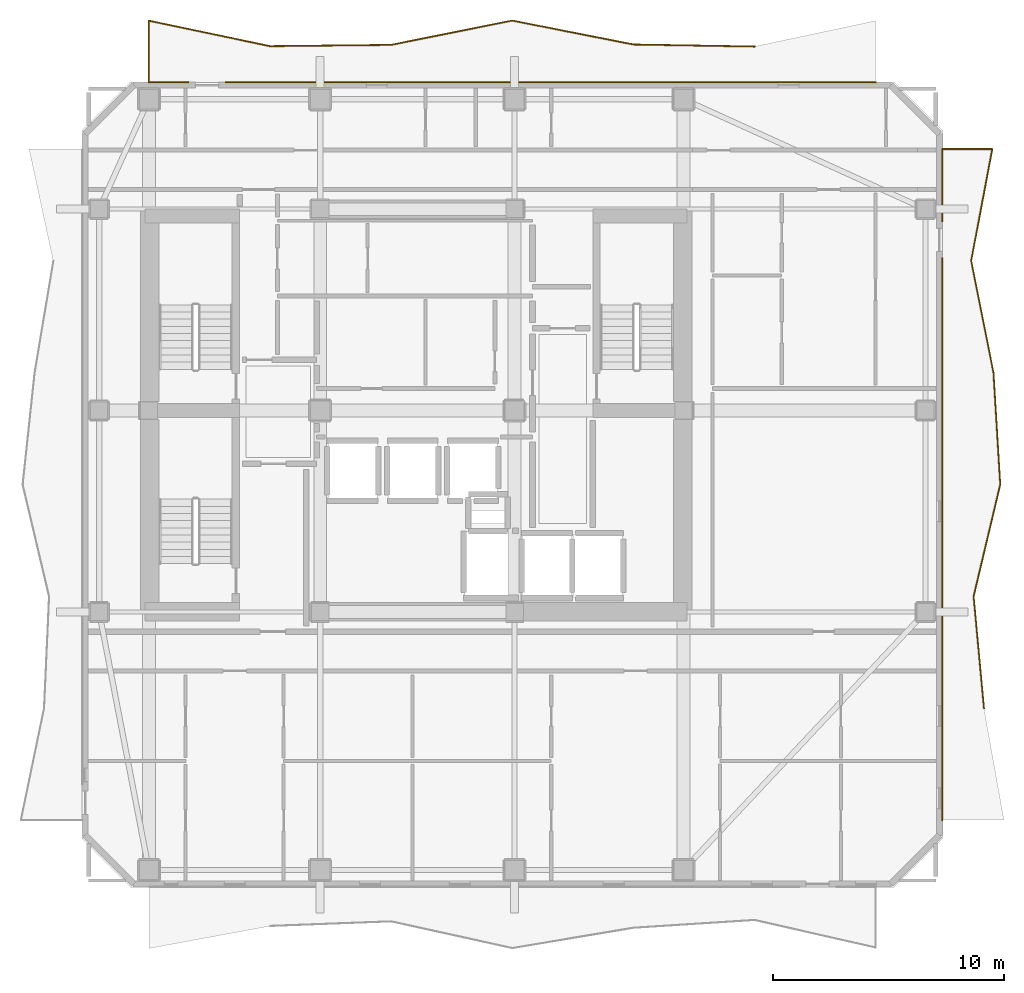
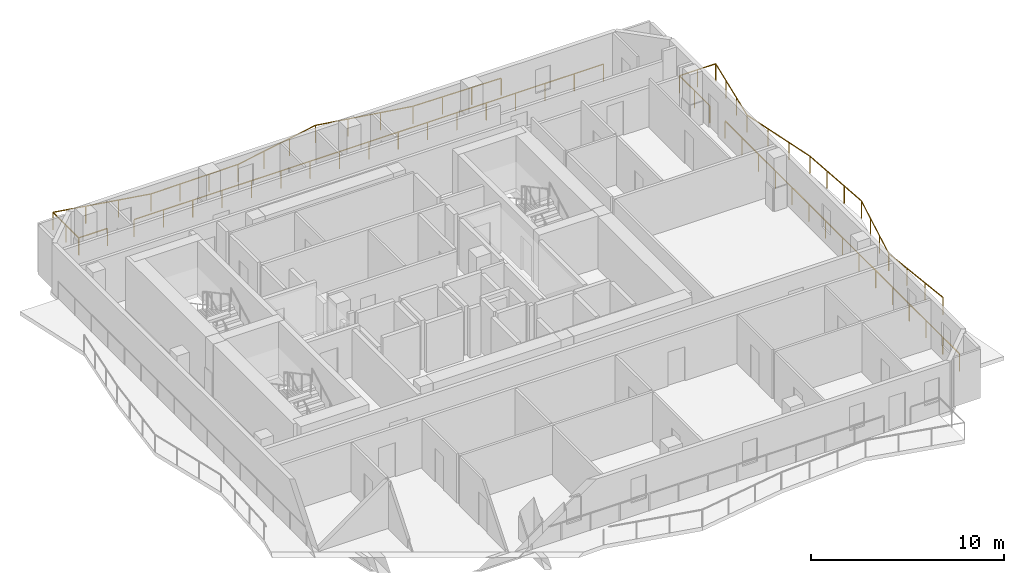
# One storey, part 9 of 9: 4 railings.
"""IFC4 building model written with IfcOpenShell, lengths in metres."""

from ifc_helpers import new_model, si_unit, direction, frame, origin, origin_2d, place, context, subcontext, project, spatial, rectangle, extrude, material, type_object, element, save


model = new_model("IFC4")

# Units and contexts
model_context = context("Model", 3, precision=1e-05, world=origin(), true_north=direction((0.0, 1.0)))
body_context = subcontext(model_context, "Body", "Model", "MODEL_VIEW")
ifc_project = project(units=[si_unit("LENGTHUNIT", "METRE"), si_unit("AREAUNIT", "SQUARE_METRE"), si_unit("VOLUMEUNIT", "CUBIC_METRE"), si_unit("PLANEANGLEUNIT", "RADIAN"), si_unit("MASSUNIT", "GRAM", prefix="KILO")], contexts=[model_context])

# Site, building, storey
site_placement = place(None, origin())
site = spatial("IfcSite", under=ifc_project, at=site_placement, CompositionType="ELEMENT")
building_placement = place(site_placement, origin())
building = spatial("IfcBuilding", under=site, at=building_placement, Name="Solanera Arch Residences", CompositionType="ELEMENT")
storey_placement = place(building_placement, frame((0.0, 0.0, 220.0400390625)))
storey = spatial("IfcBuildingStorey", under=building, at=storey_placement, Name="L64", CompositionType="ELEMENT", Elevation=220.0400390625)

# Railings
ifc_material = material(Name="Steel S355 (ASTM A992 / A572 Grade 50)", Category="steel")
railing_type = type_object("IfcRailingType", Name="Balustrade Railing BL-1100", PredefinedType="BALUSTRADE", material=ifc_material)
railing_1_placement = place(storey_placement, frame((39.56689453125, 46.429931640625, 0.0)))
element("IfcRailing", 1, at=railing_1_placement, inside=storey, type_object=railing_type, Name="L64 N Balcony Balustrade 1", PredefinedType="BALUSTRADE", context=body_context, shape_type="SweptSolid", body=[
    extrude(rectangle(XDim=0.048095703125, YDim=0.048095703125, at=origin_2d()), frame((0.0, 0.0, 1.09619140625), z_axis=(-0.999858249851, 0.016836870426, 0.0), x_axis=(-0.016836870426, -0.999858249851, 0.0)), (0.0, 0.0, 1.0), 5.234619140625),
    extrude(rectangle(XDim=0.048095703125, YDim=0.048095703125, at=origin_2d()), frame((-5.23388671875, 0.088134765625, 1.09619140625), z_axis=(-0.981103535694, 0.193483467639, 0.0), x_axis=(-0.193483467639, -0.981103535694, 0.0)), (0.0, 0.0, 1.0), 5.333740234375),
    extrude(rectangle(XDim=0.048095703125, YDim=0.048095703125, at=origin_2d()), frame((-10.466796875, 1.1201171875, 1.09619140625), z_axis=(-0.980492610512, -0.196555948093, 0.0), x_axis=(0.196555948093, -0.980492610512, 0.0)), (0.0, 0.0, 1.0), 5.337158203125),
    extrude(rectangle(XDim=0.048095703125, YDim=0.048095703125, at=origin_2d()), frame((-15.699951171875, 0.071044921875, 1.09619140625), z_axis=(-0.999944928028, -0.010494804031, 0.0), x_axis=(0.010494804031, -0.999944928028, 0.0)), (0.0, 0.0, 1.0), 5.234130859375),
    extrude(rectangle(XDim=0.048095703125, YDim=0.048095703125, at=origin_2d()), frame((-20.933837890625, 0.01611328125, 1.09619140625), z_axis=(-0.978619966934, 0.205676834665, 0.0), x_axis=(-0.205676834665, -0.978619966934, 0.0)), (0.0, 0.0, 1.0), 5.347412109375),
    extrude(rectangle(XDim=0.048095703125, YDim=0.048095703125, at=origin_2d()), frame((-26.1669921875, 1.115966796875, 1.09619140625), z_axis=(0.0, -1.0, 0.0), x_axis=(1.0, 0.0, 0.0)), (0.0, 0.0, 1.0), 2.666015625),
    extrude(rectangle(XDim=0.048095703125, YDim=0.048095703125, at=origin_2d()), frame((-26.1669921875, -1.550048828125, 1.09619140625), z_axis=(1.0, 0.0, 0.0), x_axis=(0.0, 1.0, 0.0)), (0.0, 0.0, 1.0), 1.710205078125),
    extrude(rectangle(XDim=0.0419921875, YDim=0.0419921875, at=origin_2d()), origin(), (0.0, 0.0, 1.0), 1.072021484375),
    extrude(rectangle(XDim=0.0419921875, YDim=0.0419921875, at=origin_2d()), frame((-1.74462890625, 0.029296875, 0.0)), (0.0, 0.0, 1.0), 1.072021484375),
    extrude(rectangle(XDim=0.0419921875, YDim=0.0419921875, at=origin_2d()), frame((-3.4892578125, 0.058837890625, 0.0)), (0.0, 0.0, 1.0), 1.072021484375),
    extrude(rectangle(XDim=0.0419921875, YDim=0.0419921875, at=origin_2d()), frame((-5.23388671875, 0.088134765625, 0.0)), (0.0, 0.0, 1.0), 1.072021484375),
    extrude(rectangle(XDim=0.0419921875, YDim=0.0419921875, at=origin_2d()), frame((-6.978271484375, 0.43212890625, 0.0)), (0.0, 0.0, 1.0), 1.072021484375),
    extrude(rectangle(XDim=0.0419921875, YDim=0.0419921875, at=origin_2d()), frame((-8.722412109375, 0.776123046875, 0.0)), (0.0, 0.0, 1.0), 1.072021484375),
    extrude(rectangle(XDim=0.0419921875, YDim=0.0419921875, at=origin_2d()), frame((-10.466796875, 1.1201171875, 0.0)), (0.0, 0.0, 1.0), 1.072021484375),
    extrude(rectangle(XDim=0.0419921875, YDim=0.0419921875, at=origin_2d()), frame((-12.211181640625, 0.7705078125, 0.0)), (0.0, 0.0, 1.0), 1.072021484375),
    extrude(rectangle(XDim=0.0419921875, YDim=0.0419921875, at=origin_2d()), frame((-13.95556640625, 0.420654296875, 0.0)), (0.0, 0.0, 1.0), 1.072021484375),
    extrude(rectangle(XDim=0.0419921875, YDim=0.0419921875, at=origin_2d()), frame((-15.699951171875, 0.071044921875, 0.0)), (0.0, 0.0, 1.0), 1.072021484375),
    extrude(rectangle(XDim=0.0419921875, YDim=0.0419921875, at=origin_2d()), frame((-17.444580078125, 0.052734375, 0.0)), (0.0, 0.0, 1.0), 1.072021484375),
    extrude(rectangle(XDim=0.0419921875, YDim=0.0419921875, at=origin_2d()), frame((-19.189208984375, 0.034423828125, 0.0)), (0.0, 0.0, 1.0), 1.072021484375),
    extrude(rectangle(XDim=0.0419921875, YDim=0.0419921875, at=origin_2d()), frame((-20.933837890625, 0.01611328125, 0.0)), (0.0, 0.0, 1.0), 1.072021484375),
    extrude(rectangle(XDim=0.0419921875, YDim=0.0419921875, at=origin_2d()), frame((-22.67822265625, 0.3828125, 0.0)), (0.0, 0.0, 1.0), 1.072021484375),
    extrude(rectangle(XDim=0.0419921875, YDim=0.0419921875, at=origin_2d()), frame((-24.422607421875, 0.749267578125, 0.0)), (0.0, 0.0, 1.0), 1.072021484375),
    extrude(rectangle(XDim=0.0419921875, YDim=0.0419921875, at=origin_2d()), frame((-26.1669921875, 1.115966796875, 0.0)), (0.0, 0.0, 1.0), 1.072021484375),
    extrude(rectangle(XDim=0.0419921875, YDim=0.0419921875, at=origin_2d()), frame((-26.1669921875, -0.217041015625, 0.0)), (0.0, 0.0, 1.0), 1.072021484375),
    extrude(rectangle(XDim=0.0419921875, YDim=0.0419921875, at=origin_2d()), frame((-26.1669921875, -1.550048828125, 0.0)), (0.0, 0.0, 1.0), 1.072021484375),
    extrude(rectangle(XDim=0.0419921875, YDim=0.0419921875, at=origin_2d()), frame((-24.456787109375, -1.550048828125, 0.0)), (0.0, 0.0, 1.0), 1.072021484375),
])
railing_2_placement = place(storey_placement, frame((16.7099609375, 44.8798828125, 0.0)))
element("IfcRailing", 2, at=railing_2_placement, inside=storey, type_object=railing_type, Name="L64 N Balcony Balustrade 2", PredefinedType="BALUSTRADE", context=body_context, shape_type="SweptSolid", body=[
    extrude(rectangle(XDim=0.048095703125, YDim=0.048095703125, at=origin_2d()), frame((0.0, 0.0, 1.09619140625), z_axis=(1.0, 0.0, 0.0), x_axis=(0.0, 1.0, 0.0)), (0.0, 0.0, 1.0), 28.090087890625),
    extrude(rectangle(XDim=0.0419921875, YDim=0.0419921875, at=origin_2d()), origin(), (0.0, 0.0, 1.0), 1.072021484375),
    extrude(rectangle(XDim=0.0419921875, YDim=0.0419921875, at=origin_2d()), frame((1.755615234375, 0.0, 0.0)), (0.0, 0.0, 1.0), 1.072021484375),
    extrude(rectangle(XDim=0.0419921875, YDim=0.0419921875, at=origin_2d()), frame((3.51123046875, 0.0, 0.0)), (0.0, 0.0, 1.0), 1.072021484375),
    extrude(rectangle(XDim=0.0419921875, YDim=0.0419921875, at=origin_2d()), frame((5.266845703125, 0.0, 0.0)), (0.0, 0.0, 1.0), 1.072021484375),
    extrude(rectangle(XDim=0.0419921875, YDim=0.0419921875, at=origin_2d()), frame((7.0224609375, 0.0, 0.0)), (0.0, 0.0, 1.0), 1.072021484375),
    extrude(rectangle(XDim=0.0419921875, YDim=0.0419921875, at=origin_2d()), frame((8.778076171875, 0.0, 0.0)), (0.0, 0.0, 1.0), 1.072021484375),
    extrude(rectangle(XDim=0.0419921875, YDim=0.0419921875, at=origin_2d()), frame((10.53369140625, 0.0, 0.0)), (0.0, 0.0, 1.0), 1.072021484375),
    extrude(rectangle(XDim=0.0419921875, YDim=0.0419921875, at=origin_2d()), frame((12.289306640625, 0.0, 0.0)), (0.0, 0.0, 1.0), 1.072021484375),
    extrude(rectangle(XDim=0.0419921875, YDim=0.0419921875, at=origin_2d()), frame((14.044921875, 0.0, 0.0)), (0.0, 0.0, 1.0), 1.072021484375),
    extrude(rectangle(XDim=0.0419921875, YDim=0.0419921875, at=origin_2d()), frame((15.80078125, 0.0, 0.0)), (0.0, 0.0, 1.0), 1.072021484375),
    extrude(rectangle(XDim=0.0419921875, YDim=0.0419921875, at=origin_2d()), frame((17.556396484375, 0.0, 0.0)), (0.0, 0.0, 1.0), 1.072021484375),
    extrude(rectangle(XDim=0.0419921875, YDim=0.0419921875, at=origin_2d()), frame((19.31201171875, 0.0, 0.0)), (0.0, 0.0, 1.0), 1.072021484375),
    extrude(rectangle(XDim=0.0419921875, YDim=0.0419921875, at=origin_2d()), frame((21.067626953125, 0.0, 0.0)), (0.0, 0.0, 1.0), 1.072021484375),
    extrude(rectangle(XDim=0.0419921875, YDim=0.0419921875, at=origin_2d()), frame((22.8232421875, 0.0, 0.0)), (0.0, 0.0, 1.0), 1.072021484375),
    extrude(rectangle(XDim=0.0419921875, YDim=0.0419921875, at=origin_2d()), frame((24.578857421875, 0.0, 0.0)), (0.0, 0.0, 1.0), 1.072021484375),
    extrude(rectangle(XDim=0.0419921875, YDim=0.0419921875, at=origin_2d()), frame((26.33447265625, 0.0, 0.0)), (0.0, 0.0, 1.0), 1.072021484375),
    extrude(rectangle(XDim=0.0419921875, YDim=0.0419921875, at=origin_2d()), frame((28.090087890625, 0.0, 0.0)), (0.0, 0.0, 1.0), 1.072021484375),
])
railing_3_placement = place(storey_placement, frame((49.48291015625, 17.8330078125, 0.0)))
element("IfcRailing", 3, at=railing_3_placement, inside=storey, type_object=railing_type, Name="L64 E Balcony Balustrade 1", PredefinedType="BALUSTRADE", context=body_context, shape_type="SweptSolid", body=[
    extrude(rectangle(XDim=0.048095703125, YDim=0.048095703125, at=origin_2d()), frame((0.0, 0.0, 1.09619140625), z_axis=(-0.092281313669, 0.995732975826, 0.0), x_axis=(-0.995732975826, -0.092281313669, 0.0)), (0.0, 0.0, 1.0), 4.854736328125),
    extrude(rectangle(XDim=0.048095703125, YDim=0.048095703125, at=origin_2d()), frame((-0.447998046875, 4.833984375, 1.09619140625), z_axis=(0.231698033775, 0.972787757501, 0.0), x_axis=(-0.972787757501, 0.231698033775, 0.0)), (0.0, 0.0, 1.0), 4.96826171875),
    extrude(rectangle(XDim=0.048095703125, YDim=0.048095703125, at=origin_2d()), frame((0.703125, 9.6669921875, 1.09619140625), z_axis=(-0.060306283291, 0.998179919752, 0.0), x_axis=(-0.998179919752, -0.060306283291, 0.0)), (0.0, 0.0, 1.0), 4.841796875),
    extrude(rectangle(XDim=0.048095703125, YDim=0.048095703125, at=origin_2d()), frame((0.4111328125, 14.5, 1.09619140625), z_axis=(-0.195401686752, 0.980723294724, 0.0), x_axis=(-0.980723294724, -0.195401686752, 0.0)), (0.0, 0.0, 1.0), 4.928955078125),
    extrude(rectangle(XDim=0.048095703125, YDim=0.048095703125, at=origin_2d()), frame((-0.552001953125, 19.333984375, 1.09619140625), z_axis=(0.185259531892, 0.98268962844, 0.0), x_axis=(-0.98268962844, 0.185259531892, 0.0)), (0.0, 0.0, 1.0), 4.918212890625),
    extrude(rectangle(XDim=0.048095703125, YDim=0.048095703125, at=origin_2d()), frame((0.359130859375, 24.1669921875, 1.09619140625), z_axis=(-1.0, 0.0, 0.0), x_axis=(0.0, -1.0, 0.0)), (0.0, 0.0, 1.0), 2.162109375),
    extrude(rectangle(XDim=0.048095703125, YDim=0.048095703125, at=origin_2d()), frame((-1.802978515625, 24.1669921875, 1.09619140625), z_axis=(0.0, -1.0, 0.0), x_axis=(1.0, 0.0, 0.0)), (0.0, 0.0, 1.0), 3.126953125),
    extrude(rectangle(XDim=0.0419921875, YDim=0.0419921875, at=origin_2d()), origin(), (0.0, 0.0, 1.0), 1.072021484375),
    extrude(rectangle(XDim=0.0419921875, YDim=0.0419921875, at=origin_2d()), frame((-0.1494140625, 1.611328125, 0.0)), (0.0, 0.0, 1.0), 1.072021484375),
    extrude(rectangle(XDim=0.0419921875, YDim=0.0419921875, at=origin_2d()), frame((-0.298583984375, 3.22265625, 0.0)), (0.0, 0.0, 1.0), 1.072021484375),
    extrude(rectangle(XDim=0.0419921875, YDim=0.0419921875, at=origin_2d()), frame((-0.447998046875, 4.833984375, 0.0)), (0.0, 0.0, 1.0), 1.072021484375),
    extrude(rectangle(XDim=0.0419921875, YDim=0.0419921875, at=origin_2d()), frame((-0.064208984375, 6.445068359375, 0.0)), (0.0, 0.0, 1.0), 1.072021484375),
    extrude(rectangle(XDim=0.0419921875, YDim=0.0419921875, at=origin_2d()), frame((0.3193359375, 8.055908203125, 0.0)), (0.0, 0.0, 1.0), 1.072021484375),
    extrude(rectangle(XDim=0.0419921875, YDim=0.0419921875, at=origin_2d()), frame((0.703125, 9.6669921875, 0.0)), (0.0, 0.0, 1.0), 1.072021484375),
    extrude(rectangle(XDim=0.0419921875, YDim=0.0419921875, at=origin_2d()), frame((0.605712890625, 11.278076171875, 0.0)), (0.0, 0.0, 1.0), 1.072021484375),
    extrude(rectangle(XDim=0.0419921875, YDim=0.0419921875, at=origin_2d()), frame((0.508544921875, 12.888916015625, 0.0)), (0.0, 0.0, 1.0), 1.072021484375),
    extrude(rectangle(XDim=0.0419921875, YDim=0.0419921875, at=origin_2d()), frame((0.4111328125, 14.5, 0.0)), (0.0, 0.0, 1.0), 1.072021484375),
    extrude(rectangle(XDim=0.0419921875, YDim=0.0419921875, at=origin_2d()), frame((0.090087890625, 16.111328125, 0.0)), (0.0, 0.0, 1.0), 1.072021484375),
    extrude(rectangle(XDim=0.0419921875, YDim=0.0419921875, at=origin_2d()), frame((-0.23095703125, 17.72265625, 0.0)), (0.0, 0.0, 1.0), 1.072021484375),
    extrude(rectangle(XDim=0.0419921875, YDim=0.0419921875, at=origin_2d()), frame((-0.552001953125, 19.333984375, 0.0)), (0.0, 0.0, 1.0), 1.072021484375),
    extrude(rectangle(XDim=0.0419921875, YDim=0.0419921875, at=origin_2d()), frame((-0.248291015625, 20.945068359375, 0.0)), (0.0, 0.0, 1.0), 1.072021484375),
    extrude(rectangle(XDim=0.0419921875, YDim=0.0419921875, at=origin_2d()), frame((0.055419921875, 22.555908203125, 0.0)), (0.0, 0.0, 1.0), 1.072021484375),
    extrude(rectangle(XDim=0.0419921875, YDim=0.0419921875, at=origin_2d()), frame((0.359130859375, 24.1669921875, 0.0)), (0.0, 0.0, 1.0), 1.072021484375),
    extrude(rectangle(XDim=0.0419921875, YDim=0.0419921875, at=origin_2d()), frame((-0.721923828125, 24.1669921875, 0.0)), (0.0, 0.0, 1.0), 1.072021484375),
    extrude(rectangle(XDim=0.0419921875, YDim=0.0419921875, at=origin_2d()), frame((-1.802978515625, 24.1669921875, 0.0)), (0.0, 0.0, 1.0), 1.072021484375),
    extrude(rectangle(XDim=0.0419921875, YDim=0.0419921875, at=origin_2d()), frame((-1.802978515625, 22.603515625, 0.0)), (0.0, 0.0, 1.0), 1.072021484375),
    extrude(rectangle(XDim=0.0419921875, YDim=0.0419921875, at=origin_2d()), frame((-1.802978515625, 21.0400390625, 0.0)), (0.0, 0.0, 1.0), 1.072021484375),
])
railing_4_placement = place(storey_placement, frame((47.679931640625, 37.27294921875, 0.0)))
element("IfcRailing", 4, at=railing_4_placement, inside=storey, type_object=railing_type, Name="L64 E Balcony Balustrade 2", PredefinedType="BALUSTRADE", context=body_context, shape_type="SweptSolid", body=[
    extrude(rectangle(XDim=0.048095703125, YDim=0.048095703125, at=origin_2d()), frame((0.0, 0.0, 1.09619140625), z_axis=(0.0, -1.0, 0.0), x_axis=(1.0, 0.0, 0.0)), (0.0, 0.0, 1.0), 24.27294921875),
    extrude(rectangle(XDim=0.0419921875, YDim=0.0419921875, at=origin_2d()), origin(), (0.0, 0.0, 1.0), 1.072021484375),
    extrude(rectangle(XDim=0.0419921875, YDim=0.0419921875, at=origin_2d()), frame((0.0, -1.73388671875, 0.0)), (0.0, 0.0, 1.0), 1.072021484375),
    extrude(rectangle(XDim=0.0419921875, YDim=0.0419921875, at=origin_2d()), frame((0.0, -3.467529296875, 0.0)), (0.0, 0.0, 1.0), 1.072021484375),
    extrude(rectangle(XDim=0.0419921875, YDim=0.0419921875, at=origin_2d()), frame((0.0, -5.201416015625, 0.0)), (0.0, 0.0, 1.0), 1.072021484375),
    extrude(rectangle(XDim=0.0419921875, YDim=0.0419921875, at=origin_2d()), frame((0.0, -6.93505859375, 0.0)), (0.0, 0.0, 1.0), 1.072021484375),
    extrude(rectangle(XDim=0.0419921875, YDim=0.0419921875, at=origin_2d()), frame((0.0, -8.6689453125, 0.0)), (0.0, 0.0, 1.0), 1.072021484375),
    extrude(rectangle(XDim=0.0419921875, YDim=0.0419921875, at=origin_2d()), frame((0.0, -10.402587890625, 0.0)), (0.0, 0.0, 1.0), 1.072021484375),
    extrude(rectangle(XDim=0.0419921875, YDim=0.0419921875, at=origin_2d()), frame((0.0, -12.136474609375, 0.0)), (0.0, 0.0, 1.0), 1.072021484375),
    extrude(rectangle(XDim=0.0419921875, YDim=0.0419921875, at=origin_2d()), frame((0.0, -13.870361328125, 0.0)), (0.0, 0.0, 1.0), 1.072021484375),
    extrude(rectangle(XDim=0.0419921875, YDim=0.0419921875, at=origin_2d()), frame((0.0, -15.60400390625, 0.0)), (0.0, 0.0, 1.0), 1.072021484375),
    extrude(rectangle(XDim=0.0419921875, YDim=0.0419921875, at=origin_2d()), frame((0.0, -17.337890625, 0.0)), (0.0, 0.0, 1.0), 1.072021484375),
    extrude(rectangle(XDim=0.0419921875, YDim=0.0419921875, at=origin_2d()), frame((0.0, -19.071533203125, 0.0)), (0.0, 0.0, 1.0), 1.072021484375),
    extrude(rectangle(XDim=0.0419921875, YDim=0.0419921875, at=origin_2d()), frame((0.0, -20.805419921875, 0.0)), (0.0, 0.0, 1.0), 1.072021484375),
    extrude(rectangle(XDim=0.0419921875, YDim=0.0419921875, at=origin_2d()), frame((0.0, -22.5390625, 0.0)), (0.0, 0.0, 1.0), 1.072021484375),
    extrude(rectangle(XDim=0.0419921875, YDim=0.0419921875, at=origin_2d()), frame((0.0, -24.27294921875, 0.0)), (0.0, 0.0, 1.0), 1.072021484375),
])

save(model, "model.ifc")
